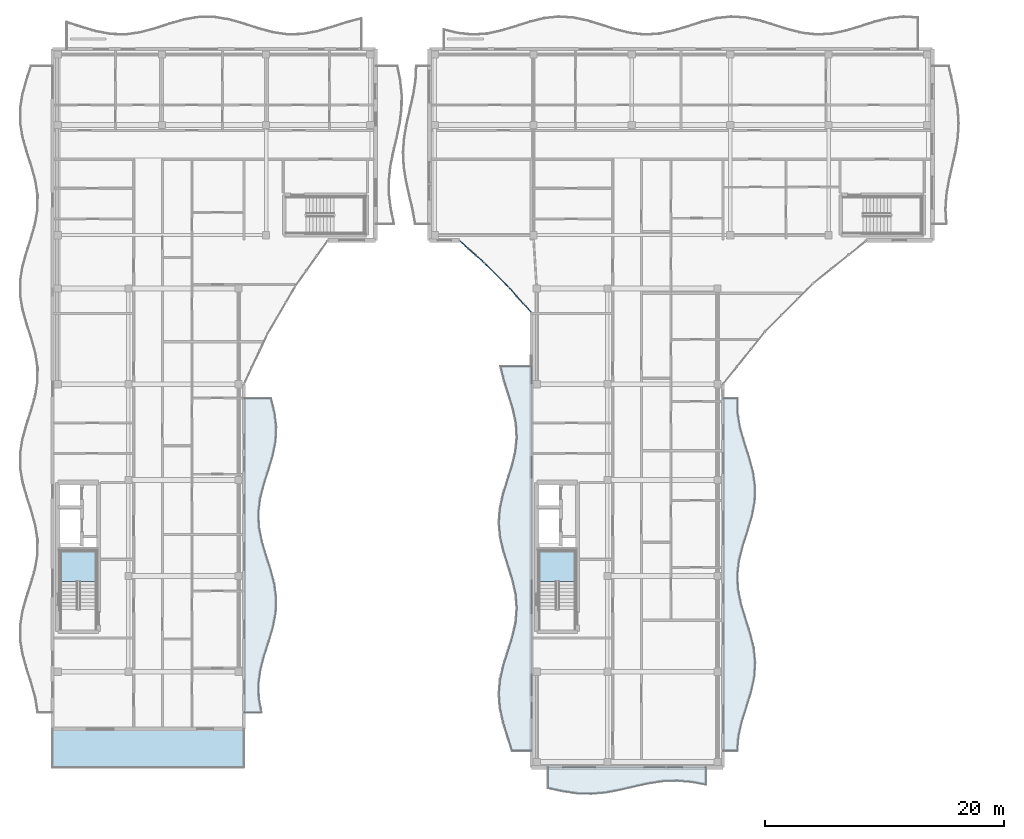
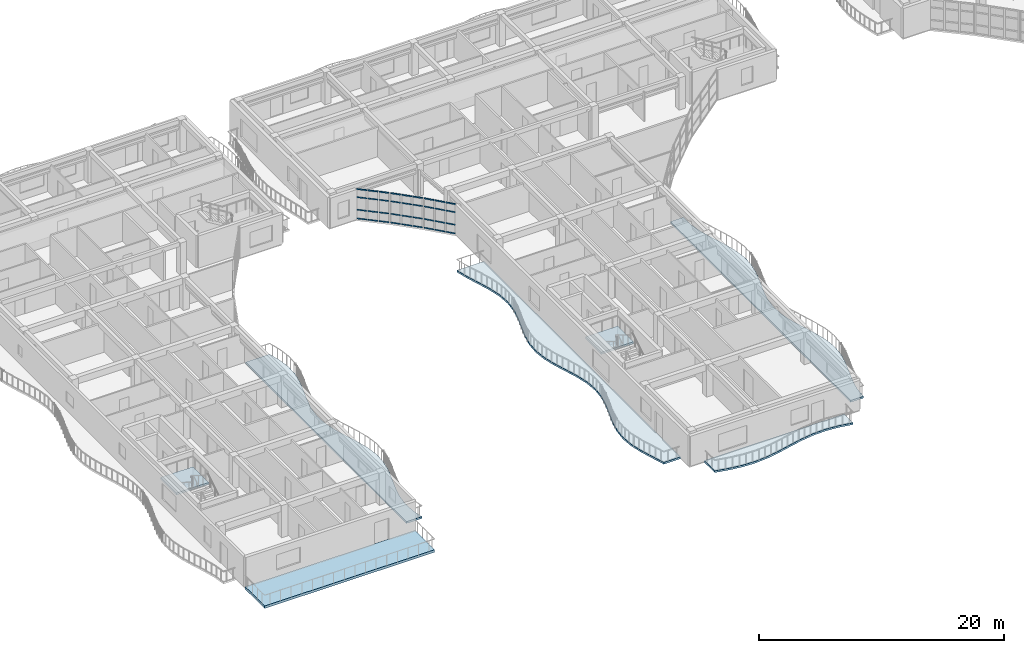
# One storey, part 22 of 72: 36 members, 7 slabs, 5 elements without a shape of their own.
"""IFC4 building model written with IfcOpenShell, lengths in metres."""

from ifc_helpers import new_model, si_unit, direction, frame, origin, origin_2d, place, context, subcontext, project, spatial, polyline, hollow_rectangle, outline, extrude, material, layer, layer_set, material_profile, profile_set, type_object, element, aggregate, save


model = new_model("IFC4")

# Units and contexts
model_context = context("Model", 3, precision=1e-05, world=origin(), true_north=direction((0.0, 1.0)))
body_context = subcontext(model_context, "Body", "Model", "MODEL_VIEW")
ifc_project = project(units=[si_unit("LENGTHUNIT", "METRE"), si_unit("AREAUNIT", "SQUARE_METRE"), si_unit("VOLUMEUNIT", "CUBIC_METRE"), si_unit("PLANEANGLEUNIT", "RADIAN"), si_unit("MASSUNIT", "GRAM", prefix="KILO")], contexts=[model_context])

# Site, building, storey
site_placement = place(None, origin())
site = spatial("IfcSite", under=ifc_project, at=site_placement, CompositionType="ELEMENT")
building_placement = place(site_placement, origin())
building = spatial("IfcBuilding", under=site, at=building_placement, Name="Keldmere Railside Commons", CompositionType="ELEMENT")
storey_placement = place(building_placement, frame((0.0, 0.0, 16.9599609375)))
storey = spatial("IfcBuildingStorey", under=building, at=storey_placement, Name="L05", CompositionType="ELEMENT", Elevation=16.9599609375)

# Curtain wall, members
ifc_material_1 = material(Name="Thermally Broken Aluminium", Category="aluminium")
ifc_layer_1 = layer(ifc_material_1, 0.159912109375, Name="Court Chord Wintergarden CW 4800x2850")
ifc_layer_set_1 = layer_set([ifc_layer_1], Name="Thermally Broken Aluminium")
curtain_wall_type_1 = type_object("IfcCurtainWallType", Name="Court Chord Wintergarden CW 4800x2850", PredefinedType="NOTDEFINED", material=ifc_layer_set_1)
curtain_wall_1_placement = place(storey_placement, origin())
curtain_wall_1 = element("IfcCurtainWall", 1, at=curtain_wall_1_placement, inside=storey, type_object=curtain_wall_type_1, Name="CW-12 CW-L05-058", PredefinedType="NOTDEFINED")
ifc_material_profile = material_profile(ifc_material_1, hollow_rectangle(XDim=0.06494140625, YDim=0.1201171875, WallThickness=0.00390625, at=origin_2d()), Name="ALU-TRAN-65x120")
ifc_profile_set = profile_set([ifc_material_profile], Name="Thermally Broken Aluminium")
member_type = type_object("IfcMemberType", Name="Unitised Curtain Wall Transom 65x120", PredefinedType="USERDEFINED", material=ifc_profile_set)
member_1_placement = place(storey_placement, frame((44.0595703125, 98.1533203125, 0.032470703125), z_axis=(-0.744569440646, 0.667545015752, 0.0), x_axis=(-0.667545015752, -0.744569440646, 0.0)))
member_1 = element("IfcMember", 2, at=member_1_placement, type_object=member_type, Name="CW-12 transom 1.1", ObjectType="TRANSOM", PredefinedType="USERDEFINED", context=body_context, shape_type="SweptSolid", body=[
    extrude(hollow_rectangle(XDim=0.06494140625, YDim=0.1201171875, WallThickness=0.00390625, at=origin_2d()), origin(), (0.0, 0.0, 1.0), 0.84619140625),
])
member_2_placement = place(storey_placement, frame((44.0595703125, 98.1533203125, 0.900146484375), z_axis=(-0.744569440646, 0.667545015752, 0.0), x_axis=(-0.667545015752, -0.744569440646, 0.0)))
member_2 = element("IfcMember", 3, at=member_2_placement, type_object=member_type, Name="CW-12 transom 1.2", ObjectType="TRANSOM", PredefinedType="USERDEFINED", context=body_context, shape_type="SweptSolid", body=[
    extrude(hollow_rectangle(XDim=0.06494140625, YDim=0.1201171875, WallThickness=0.00390625, at=origin_2d()), origin(), (0.0, 0.0, 1.0), 0.84619140625),
])
member_3_placement = place(storey_placement, frame((44.0595703125, 98.1533203125, 2.150146484375), z_axis=(-0.744569440646, 0.667545015752, 0.0), x_axis=(-0.667545015752, -0.744569440646, 0.0)))
member_3 = element("IfcMember", 4, at=member_3_placement, type_object=member_type, Name="CW-12 transom 1.3", ObjectType="TRANSOM", PredefinedType="USERDEFINED", context=body_context, shape_type="SweptSolid", body=[
    extrude(hollow_rectangle(XDim=0.06494140625, YDim=0.1201171875, WallThickness=0.00390625, at=origin_2d()), origin(), (0.0, 0.0, 1.0), 0.84619140625),
])
member_4_placement = place(storey_placement, frame((44.0595703125, 98.1533203125, 2.947509765625), z_axis=(-0.744569440646, 0.667545015752, 0.0), x_axis=(-0.667545015752, -0.744569440646, 0.0)))
member_4 = element("IfcMember", 5, at=member_4_placement, type_object=member_type, Name="CW-12 transom 1.4", ObjectType="TRANSOM", PredefinedType="USERDEFINED", context=body_context, shape_type="SweptSolid", body=[
    extrude(hollow_rectangle(XDim=0.06494140625, YDim=0.1201171875, WallThickness=0.00390625, at=origin_2d()), origin(), (0.0, 0.0, 1.0), 0.84619140625),
])
member_5_placement = place(storey_placement, frame((43.381103515625, 98.76171875, 0.032470703125), z_axis=(-0.744536109606, 0.667582190815, 0.0), x_axis=(-0.667582190815, -0.744536109606, 0.0)))
member_5 = element("IfcMember", 6, at=member_5_placement, type_object=member_type, Name="CW-12 transom 2.1", ObjectType="TRANSOM", PredefinedType="USERDEFINED", context=body_context, shape_type="SweptSolid", body=[
    extrude(hollow_rectangle(XDim=0.06494140625, YDim=0.1201171875, WallThickness=0.00390625, at=origin_2d()), origin(), (0.0, 0.0, 1.0), 0.87890625),
])
member_6_placement = place(storey_placement, frame((43.381103515625, 98.76171875, 0.900146484375), z_axis=(-0.744536109606, 0.667582190815, 0.0), x_axis=(-0.667582190815, -0.744536109606, 0.0)))
member_6 = element("IfcMember", 7, at=member_6_placement, type_object=member_type, Name="CW-12 transom 2.2", ObjectType="TRANSOM", PredefinedType="USERDEFINED", context=body_context, shape_type="SweptSolid", body=[
    extrude(hollow_rectangle(XDim=0.06494140625, YDim=0.1201171875, WallThickness=0.00390625, at=origin_2d()), origin(), (0.0, 0.0, 1.0), 0.87890625),
])
member_7_placement = place(storey_placement, frame((43.381103515625, 98.76171875, 2.150146484375), z_axis=(-0.744536109606, 0.667582190815, 0.0), x_axis=(-0.667582190815, -0.744536109606, 0.0)))
member_7 = element("IfcMember", 8, at=member_7_placement, type_object=member_type, Name="CW-12 transom 2.3", ObjectType="TRANSOM", PredefinedType="USERDEFINED", context=body_context, shape_type="SweptSolid", body=[
    extrude(hollow_rectangle(XDim=0.06494140625, YDim=0.1201171875, WallThickness=0.00390625, at=origin_2d()), origin(), (0.0, 0.0, 1.0), 0.87890625),
])
member_8_placement = place(storey_placement, frame((43.381103515625, 98.76171875, 2.947509765625), z_axis=(-0.744536109606, 0.667582190815, 0.0), x_axis=(-0.667582190815, -0.744536109606, 0.0)))
member_8 = element("IfcMember", 9, at=member_8_placement, type_object=member_type, Name="CW-12 transom 2.4", ObjectType="TRANSOM", PredefinedType="USERDEFINED", context=body_context, shape_type="SweptSolid", body=[
    extrude(hollow_rectangle(XDim=0.06494140625, YDim=0.1201171875, WallThickness=0.00390625, at=origin_2d()), origin(), (0.0, 0.0, 1.0), 0.87890625),
])
member_9_placement = place(storey_placement, frame((42.678466796875, 99.3916015625, 0.032470703125), z_axis=(-0.744569440646, 0.667545015752, 0.0), x_axis=(-0.667545015752, -0.744569440646, 0.0)))
member_9 = element("IfcMember", 10, at=member_9_placement, type_object=member_type, Name="CW-12 transom 3.1", ObjectType="TRANSOM", PredefinedType="USERDEFINED", context=body_context, shape_type="SweptSolid", body=[
    extrude(hollow_rectangle(XDim=0.06494140625, YDim=0.1201171875, WallThickness=0.00390625, at=origin_2d()), origin(), (0.0, 0.0, 1.0), 0.84619140625),
])
member_10_placement = place(storey_placement, frame((42.678466796875, 99.3916015625, 0.900146484375), z_axis=(-0.744569440646, 0.667545015752, 0.0), x_axis=(-0.667545015752, -0.744569440646, 0.0)))
member_10 = element("IfcMember", 11, at=member_10_placement, type_object=member_type, Name="CW-12 transom 3.2", ObjectType="TRANSOM", PredefinedType="USERDEFINED", context=body_context, shape_type="SweptSolid", body=[
    extrude(hollow_rectangle(XDim=0.06494140625, YDim=0.1201171875, WallThickness=0.00390625, at=origin_2d()), origin(), (0.0, 0.0, 1.0), 0.84619140625),
])
member_11_placement = place(storey_placement, frame((42.678466796875, 99.3916015625, 2.150146484375), z_axis=(-0.744569440646, 0.667545015752, 0.0), x_axis=(-0.667545015752, -0.744569440646, 0.0)))
member_11 = element("IfcMember", 12, at=member_11_placement, type_object=member_type, Name="CW-12 transom 3.3", ObjectType="TRANSOM", PredefinedType="USERDEFINED", context=body_context, shape_type="SweptSolid", body=[
    extrude(hollow_rectangle(XDim=0.06494140625, YDim=0.1201171875, WallThickness=0.00390625, at=origin_2d()), origin(), (0.0, 0.0, 1.0), 0.84619140625),
])
member_12_placement = place(storey_placement, frame((42.678466796875, 99.3916015625, 2.947509765625), z_axis=(-0.744569440646, 0.667545015752, 0.0), x_axis=(-0.667545015752, -0.744569440646, 0.0)))
member_12 = element("IfcMember", 13, at=member_12_placement, type_object=member_type, Name="CW-12 transom 3.4", ObjectType="TRANSOM", PredefinedType="USERDEFINED", context=body_context, shape_type="SweptSolid", body=[
    extrude(hollow_rectangle(XDim=0.06494140625, YDim=0.1201171875, WallThickness=0.00390625, at=origin_2d()), origin(), (0.0, 0.0, 1.0), 0.84619140625),
])
aggregate(curtain_wall_1, [member_1, member_2, member_3, member_4, member_5, member_6, member_7, member_8, member_9, member_10, member_11, member_12])

ifc_layer_2 = layer(ifc_material_1, 0.159912109375, Name="Court Chord Wintergarden CW 5400x2850")
ifc_layer_set_2 = layer_set([ifc_layer_2], Name="Thermally Broken Aluminium")
curtain_wall_type_2 = type_object("IfcCurtainWallType", Name="Court Chord Wintergarden CW 5400x2850", PredefinedType="NOTDEFINED", material=ifc_layer_set_2)
curtain_wall_2_placement = place(storey_placement, origin())
curtain_wall_2 = element("IfcCurtainWall", 14, at=curtain_wall_2_placement, inside=storey, type_object=curtain_wall_type_2, Name="CW-13 CW-L05-059", PredefinedType="NOTDEFINED")
member_13_placement = place(storey_placement, frame((46.06396484375, 96.154052734375, 0.032470703125), z_axis=(-0.707106781187, 0.707106781187, 0.0), x_axis=(-0.707106781187, -0.707106781187, 0.0)))
member_13 = element("IfcMember", 15, at=member_13_placement, type_object=member_type, Name="CW-13 transom 1.1", ObjectType="TRANSOM", PredefinedType="USERDEFINED", context=body_context, shape_type="SweptSolid", body=[
    extrude(hollow_rectangle(XDim=0.06494140625, YDim=0.1201171875, WallThickness=0.00390625, at=origin_2d()), origin(), (0.0, 0.0, 1.0), 0.84619140625),
])
member_14_placement = place(storey_placement, frame((46.06396484375, 96.154052734375, 0.900146484375), z_axis=(-0.707106781187, 0.707106781187, 0.0), x_axis=(-0.707106781187, -0.707106781187, 0.0)))
member_14 = element("IfcMember", 16, at=member_14_placement, type_object=member_type, Name="CW-13 transom 1.2", ObjectType="TRANSOM", PredefinedType="USERDEFINED", context=body_context, shape_type="SweptSolid", body=[
    extrude(hollow_rectangle(XDim=0.06494140625, YDim=0.1201171875, WallThickness=0.00390625, at=origin_2d()), origin(), (0.0, 0.0, 1.0), 0.84619140625),
])
member_15_placement = place(storey_placement, frame((46.06396484375, 96.154052734375, 2.150146484375), z_axis=(-0.707106781187, 0.707106781187, 0.0), x_axis=(-0.707106781187, -0.707106781187, 0.0)))
member_15 = element("IfcMember", 17, at=member_15_placement, type_object=member_type, Name="CW-13 transom 1.3", ObjectType="TRANSOM", PredefinedType="USERDEFINED", context=body_context, shape_type="SweptSolid", body=[
    extrude(hollow_rectangle(XDim=0.06494140625, YDim=0.1201171875, WallThickness=0.00390625, at=origin_2d()), origin(), (0.0, 0.0, 1.0), 0.84619140625),
])
member_16_placement = place(storey_placement, frame((46.06396484375, 96.154052734375, 2.947509765625), z_axis=(-0.707106781187, 0.707106781187, 0.0), x_axis=(-0.707106781187, -0.707106781187, 0.0)))
member_16 = element("IfcMember", 18, at=member_16_placement, type_object=member_type, Name="CW-13 transom 1.4", ObjectType="TRANSOM", PredefinedType="USERDEFINED", context=body_context, shape_type="SweptSolid", body=[
    extrude(hollow_rectangle(XDim=0.06494140625, YDim=0.1201171875, WallThickness=0.00390625, at=origin_2d()), origin(), (0.0, 0.0, 1.0), 0.84619140625),
])
member_17_placement = place(storey_placement, frame((45.419677734375, 96.79833984375, 0.032470703125), z_axis=(-0.707106781187, 0.707106781187, 0.0), x_axis=(-0.707106781187, -0.707106781187, 0.0)))
member_17 = element("IfcMember", 19, at=member_17_placement, type_object=member_type, Name="CW-13 transom 2.1", ObjectType="TRANSOM", PredefinedType="USERDEFINED", context=body_context, shape_type="SweptSolid", body=[
    extrude(hollow_rectangle(XDim=0.06494140625, YDim=0.1201171875, WallThickness=0.00390625, at=origin_2d()), origin(), (0.0, 0.0, 1.0), 0.878662109375),
])
member_18_placement = place(storey_placement, frame((45.419677734375, 96.79833984375, 0.900146484375), z_axis=(-0.707106781187, 0.707106781187, 0.0), x_axis=(-0.707106781187, -0.707106781187, 0.0)))
member_18 = element("IfcMember", 20, at=member_18_placement, type_object=member_type, Name="CW-13 transom 2.2", ObjectType="TRANSOM", PredefinedType="USERDEFINED", context=body_context, shape_type="SweptSolid", body=[
    extrude(hollow_rectangle(XDim=0.06494140625, YDim=0.1201171875, WallThickness=0.00390625, at=origin_2d()), origin(), (0.0, 0.0, 1.0), 0.878662109375),
])
member_19_placement = place(storey_placement, frame((45.419677734375, 96.79833984375, 2.150146484375), z_axis=(-0.707106781187, 0.707106781187, 0.0), x_axis=(-0.707106781187, -0.707106781187, 0.0)))
member_19 = element("IfcMember", 21, at=member_19_placement, type_object=member_type, Name="CW-13 transom 2.3", ObjectType="TRANSOM", PredefinedType="USERDEFINED", context=body_context, shape_type="SweptSolid", body=[
    extrude(hollow_rectangle(XDim=0.06494140625, YDim=0.1201171875, WallThickness=0.00390625, at=origin_2d()), origin(), (0.0, 0.0, 1.0), 0.878662109375),
])
member_20_placement = place(storey_placement, frame((45.419677734375, 96.79833984375, 2.947509765625), z_axis=(-0.707106781187, 0.707106781187, 0.0), x_axis=(-0.707106781187, -0.707106781187, 0.0)))
member_20 = element("IfcMember", 22, at=member_20_placement, type_object=member_type, Name="CW-13 transom 2.4", ObjectType="TRANSOM", PredefinedType="USERDEFINED", context=body_context, shape_type="SweptSolid", body=[
    extrude(hollow_rectangle(XDim=0.06494140625, YDim=0.1201171875, WallThickness=0.00390625, at=origin_2d()), origin(), (0.0, 0.0, 1.0), 0.878662109375),
])
member_21_placement = place(storey_placement, frame((44.75244140625, 97.465576171875, 0.032470703125), z_axis=(-0.707106781187, 0.707106781187, 0.0), x_axis=(-0.707106781187, -0.707106781187, 0.0)))
member_21 = element("IfcMember", 23, at=member_21_placement, type_object=member_type, Name="CW-13 transom 3.1", ObjectType="TRANSOM", PredefinedType="USERDEFINED", context=body_context, shape_type="SweptSolid", body=[
    extrude(hollow_rectangle(XDim=0.06494140625, YDim=0.1201171875, WallThickness=0.00390625, at=origin_2d()), origin(), (0.0, 0.0, 1.0), 0.84619140625),
])
member_22_placement = place(storey_placement, frame((44.75244140625, 97.465576171875, 0.900146484375), z_axis=(-0.707106781187, 0.707106781187, 0.0), x_axis=(-0.707106781187, -0.707106781187, 0.0)))
member_22 = element("IfcMember", 24, at=member_22_placement, type_object=member_type, Name="CW-13 transom 3.2", ObjectType="TRANSOM", PredefinedType="USERDEFINED", context=body_context, shape_type="SweptSolid", body=[
    extrude(hollow_rectangle(XDim=0.06494140625, YDim=0.1201171875, WallThickness=0.00390625, at=origin_2d()), origin(), (0.0, 0.0, 1.0), 0.84619140625),
])
member_23_placement = place(storey_placement, frame((44.75244140625, 97.465576171875, 2.150146484375), z_axis=(-0.707106781187, 0.707106781187, 0.0), x_axis=(-0.707106781187, -0.707106781187, 0.0)))
member_23 = element("IfcMember", 25, at=member_23_placement, type_object=member_type, Name="CW-13 transom 3.3", ObjectType="TRANSOM", PredefinedType="USERDEFINED", context=body_context, shape_type="SweptSolid", body=[
    extrude(hollow_rectangle(XDim=0.06494140625, YDim=0.1201171875, WallThickness=0.00390625, at=origin_2d()), origin(), (0.0, 0.0, 1.0), 0.84619140625),
])
member_24_placement = place(storey_placement, frame((44.75244140625, 97.465576171875, 2.947509765625), z_axis=(-0.707106781187, 0.707106781187, 0.0), x_axis=(-0.707106781187, -0.707106781187, 0.0)))
member_24 = element("IfcMember", 26, at=member_24_placement, type_object=member_type, Name="CW-13 transom 3.4", ObjectType="TRANSOM", PredefinedType="USERDEFINED", context=body_context, shape_type="SweptSolid", body=[
    extrude(hollow_rectangle(XDim=0.06494140625, YDim=0.1201171875, WallThickness=0.00390625, at=origin_2d()), origin(), (0.0, 0.0, 1.0), 0.84619140625),
])
aggregate(curtain_wall_2, [member_13, member_14, member_15, member_16, member_17, member_18, member_19, member_20, member_21, member_22, member_23, member_24])

curtain_wall_3_placement = place(storey_placement, origin())
curtain_wall_3 = element("IfcCurtainWall", 27, at=curtain_wall_3_placement, inside=storey, type_object=curtain_wall_type_1, Name="CW-12 CW-L05-060", PredefinedType="NOTDEFINED")
member_25_placement = place(storey_placement, frame((47.95654296875, 94.04833984375, 0.032470703125), z_axis=(-0.667545015752, 0.744569440646, 0.0), x_axis=(-0.744569440646, -0.667545015752, 0.0)))
member_25 = element("IfcMember", 28, at=member_25_placement, type_object=member_type, Name="CW-12 transom 1.1", ObjectType="TRANSOM", PredefinedType="USERDEFINED", context=body_context, shape_type="SweptSolid", body=[
    extrude(hollow_rectangle(XDim=0.06494140625, YDim=0.1201171875, WallThickness=0.00390625, at=origin_2d()), origin(), (0.0, 0.0, 1.0), 0.84619140625),
])
member_26_placement = place(storey_placement, frame((47.95654296875, 94.04833984375, 0.900146484375), z_axis=(-0.667545015752, 0.744569440646, 0.0), x_axis=(-0.744569440646, -0.667545015752, 0.0)))
member_26 = element("IfcMember", 29, at=member_26_placement, type_object=member_type, Name="CW-12 transom 1.2", ObjectType="TRANSOM", PredefinedType="USERDEFINED", context=body_context, shape_type="SweptSolid", body=[
    extrude(hollow_rectangle(XDim=0.06494140625, YDim=0.1201171875, WallThickness=0.00390625, at=origin_2d()), origin(), (0.0, 0.0, 1.0), 0.84619140625),
])
member_27_placement = place(storey_placement, frame((47.95654296875, 94.04833984375, 2.150146484375), z_axis=(-0.667545015752, 0.744569440646, 0.0), x_axis=(-0.744569440646, -0.667545015752, 0.0)))
member_27 = element("IfcMember", 30, at=member_27_placement, type_object=member_type, Name="CW-12 transom 1.3", ObjectType="TRANSOM", PredefinedType="USERDEFINED", context=body_context, shape_type="SweptSolid", body=[
    extrude(hollow_rectangle(XDim=0.06494140625, YDim=0.1201171875, WallThickness=0.00390625, at=origin_2d()), origin(), (0.0, 0.0, 1.0), 0.84619140625),
])
member_28_placement = place(storey_placement, frame((47.95654296875, 94.04833984375, 2.947509765625), z_axis=(-0.667545015752, 0.744569440646, 0.0), x_axis=(-0.744569440646, -0.667545015752, 0.0)))
member_28 = element("IfcMember", 31, at=member_28_placement, type_object=member_type, Name="CW-12 transom 1.4", ObjectType="TRANSOM", PredefinedType="USERDEFINED", context=body_context, shape_type="SweptSolid", body=[
    extrude(hollow_rectangle(XDim=0.06494140625, YDim=0.1201171875, WallThickness=0.00390625, at=origin_2d()), origin(), (0.0, 0.0, 1.0), 0.84619140625),
])
member_29_placement = place(storey_placement, frame((47.348388671875, 94.726806640625, 0.032470703125), z_axis=(-0.667582190815, 0.744536109606, 0.0), x_axis=(-0.744536109606, -0.667582190815, 0.0)))
member_29 = element("IfcMember", 32, at=member_29_placement, type_object=member_type, Name="CW-12 transom 2.1", ObjectType="TRANSOM", PredefinedType="USERDEFINED", context=body_context, shape_type="SweptSolid", body=[
    extrude(hollow_rectangle(XDim=0.06494140625, YDim=0.1201171875, WallThickness=0.00390625, at=origin_2d()), origin(), (0.0, 0.0, 1.0), 0.87890625),
])
member_30_placement = place(storey_placement, frame((47.348388671875, 94.726806640625, 0.900146484375), z_axis=(-0.667582190815, 0.744536109606, 0.0), x_axis=(-0.744536109606, -0.667582190815, 0.0)))
member_30 = element("IfcMember", 33, at=member_30_placement, type_object=member_type, Name="CW-12 transom 2.2", ObjectType="TRANSOM", PredefinedType="USERDEFINED", context=body_context, shape_type="SweptSolid", body=[
    extrude(hollow_rectangle(XDim=0.06494140625, YDim=0.1201171875, WallThickness=0.00390625, at=origin_2d()), origin(), (0.0, 0.0, 1.0), 0.87890625),
])
member_31_placement = place(storey_placement, frame((47.348388671875, 94.726806640625, 2.150146484375), z_axis=(-0.667582190815, 0.744536109606, 0.0), x_axis=(-0.744536109606, -0.667582190815, 0.0)))
member_31 = element("IfcMember", 34, at=member_31_placement, type_object=member_type, Name="CW-12 transom 2.3", ObjectType="TRANSOM", PredefinedType="USERDEFINED", context=body_context, shape_type="SweptSolid", body=[
    extrude(hollow_rectangle(XDim=0.06494140625, YDim=0.1201171875, WallThickness=0.00390625, at=origin_2d()), origin(), (0.0, 0.0, 1.0), 0.87890625),
])
member_32_placement = place(storey_placement, frame((47.348388671875, 94.726806640625, 2.947509765625), z_axis=(-0.667582190815, 0.744536109606, 0.0), x_axis=(-0.744536109606, -0.667582190815, 0.0)))
member_32 = element("IfcMember", 35, at=member_32_placement, type_object=member_type, Name="CW-12 transom 2.4", ObjectType="TRANSOM", PredefinedType="USERDEFINED", context=body_context, shape_type="SweptSolid", body=[
    extrude(hollow_rectangle(XDim=0.06494140625, YDim=0.1201171875, WallThickness=0.00390625, at=origin_2d()), origin(), (0.0, 0.0, 1.0), 0.87890625),
])
member_33_placement = place(storey_placement, frame((46.71826171875, 95.429443359375, 0.032470703125), z_axis=(-0.667545015752, 0.744569440646, 0.0), x_axis=(-0.744569440646, -0.667545015752, 0.0)))
member_33 = element("IfcMember", 36, at=member_33_placement, type_object=member_type, Name="CW-12 transom 3.1", ObjectType="TRANSOM", PredefinedType="USERDEFINED", context=body_context, shape_type="SweptSolid", body=[
    extrude(hollow_rectangle(XDim=0.06494140625, YDim=0.1201171875, WallThickness=0.00390625, at=origin_2d()), origin(), (0.0, 0.0, 1.0), 0.84619140625),
])
member_34_placement = place(storey_placement, frame((46.71826171875, 95.429443359375, 0.900146484375), z_axis=(-0.667545015752, 0.744569440646, 0.0), x_axis=(-0.744569440646, -0.667545015752, 0.0)))
member_34 = element("IfcMember", 37, at=member_34_placement, type_object=member_type, Name="CW-12 transom 3.2", ObjectType="TRANSOM", PredefinedType="USERDEFINED", context=body_context, shape_type="SweptSolid", body=[
    extrude(hollow_rectangle(XDim=0.06494140625, YDim=0.1201171875, WallThickness=0.00390625, at=origin_2d()), origin(), (0.0, 0.0, 1.0), 0.84619140625),
])
member_35_placement = place(storey_placement, frame((46.71826171875, 95.429443359375, 2.150146484375), z_axis=(-0.667545015752, 0.744569440646, 0.0), x_axis=(-0.744569440646, -0.667545015752, 0.0)))
member_35 = element("IfcMember", 38, at=member_35_placement, type_object=member_type, Name="CW-12 transom 3.3", ObjectType="TRANSOM", PredefinedType="USERDEFINED", context=body_context, shape_type="SweptSolid", body=[
    extrude(hollow_rectangle(XDim=0.06494140625, YDim=0.1201171875, WallThickness=0.00390625, at=origin_2d()), origin(), (0.0, 0.0, 1.0), 0.84619140625),
])
member_36_placement = place(storey_placement, frame((46.71826171875, 95.429443359375, 2.947509765625), z_axis=(-0.667545015752, 0.744569440646, 0.0), x_axis=(-0.744569440646, -0.667545015752, 0.0)))
member_36 = element("IfcMember", 39, at=member_36_placement, type_object=member_type, Name="CW-12 transom 3.4", ObjectType="TRANSOM", PredefinedType="USERDEFINED", context=body_context, shape_type="SweptSolid", body=[
    extrude(hollow_rectangle(XDim=0.06494140625, YDim=0.1201171875, WallThickness=0.00390625, at=origin_2d()), origin(), (0.0, 0.0, 1.0), 0.84619140625),
])
aggregate(curtain_wall_3, [member_25, member_26, member_27, member_28, member_29, member_30, member_31, member_32, member_33, member_34, member_35, member_36])

# Stair, slab
ifc_material_2 = material(Name="Concrete H-30 (C30/37)", Category="concrete")
stair_type = type_object("IfcStairType", Name="Residential Core Dogleg Stair 1450", PredefinedType="HALF_TURN_STAIR", material=ifc_material_2)
stair_1_placement = place(storey_placement, origin())
stair_1 = element("IfcStair", 40, at=stair_1_placement, inside=storey, type_object=stair_type, Name="L05 Block D Primary Escape Stair 1", PredefinedType="HALF_TURN_STAIR")
ifc_layer_3 = layer(ifc_material_2, 0.199951171875, Name="Enclosed Stair Landing Slab 200")
ifc_layer_set_3 = layer_set([ifc_layer_3], Name="Concrete H-30 (C30/37)")
slab_type_1 = type_object("IfcSlabType", Name="Enclosed Stair Landing Slab 200", PredefinedType="LANDING", material=ifc_layer_set_3)
slab_1_placement = place(storey_placement, frame((0.0, 0.0, 1.400146484375)))
slab_1 = element("IfcSlab", 41, at=slab_1_placement, type_object=slab_type_1, Name="ST-D1 landing 1", PredefinedType="LANDING", context=body_context, shape_type="SweptSolid", body=[
    extrude(outline(polyline([(11.699951171875, 71.52001953125), (11.699951171875, 74.10009765625), (8.64990234375, 74.10009765625), (8.64990234375, 71.52001953125), (11.699951171875, 71.52001953125)])), origin(), (0.0, 0.0, 1.0), 0.199951171875),
])
aggregate(stair_1, [slab_1])

stair_2_placement = place(storey_placement, origin())
stair_2 = element("IfcStair", 42, at=stair_2_placement, inside=storey, type_object=stair_type, Name="L05 Block C Primary Escape Stair 1", PredefinedType="HALF_TURN_STAIR")
slab_2_placement = place(storey_placement, frame((0.0, 0.0, 1.400146484375)))
slab_2 = element("IfcSlab", 43, at=slab_2_placement, type_object=slab_type_1, Name="ST-C1 landing 1", PredefinedType="LANDING", context=body_context, shape_type="SweptSolid", body=[
    extrude(outline(polyline([(51.699951171875, 71.52001953125), (51.699951171875, 74.10009765625), (48.64990234375, 74.10009765625), (48.64990234375, 71.52001953125), (51.699951171875, 71.52001953125)])), origin(), (0.0, 0.0, 1.0), 0.199951171875),
])
aggregate(stair_2, [slab_2])

# Slabs
ifc_material_3 = material(Name="Concrete H-35 (C35/45)", Category="concrete")
ifc_layer_4 = layer(ifc_material_3, 0.25, Name="Planted Terrace Roof Slab 250")
ifc_layer_set_4 = layer_set([ifc_layer_4], Name="Concrete H-35 (C35/45)")
slab_type_2 = type_object("IfcSlabType", Name="Planted Terrace Roof Slab 250", PredefinedType="ROOF", material=ifc_layer_set_4)
slab_3_placement = place(storey_placement, frame((0.0, 0.0, -0.25)))
element("IfcSlab", 44, at=slab_3_placement, inside=storey, type_object=slab_type_2, Name="RT-1 TERRD-L05-013", PredefinedType="ROOF", context=body_context, shape_type="SweptSolid", body=[
    extrude(outline(polyline([(24.0, 56.0), (24.0, 59.18994140625), (8.0, 59.18994140625), (8.0, 56.0), (24.0, 56.0)])), origin(), (0.0, 0.0, 1.0), 0.25),
])
ifc_material_4 = material(Name="White Precast Concrete H-35 (C35/45)", Category="concrete")
ifc_layer_5 = layer(ifc_material_4, 0.179931640625, Name="Sinusoidal Wave Balcony Slab 180")
ifc_layer_set_5 = layer_set([ifc_layer_5], Name="White Precast Concrete H-35 (C35/45)")
slab_type_3 = type_object("IfcSlabType", Name="Sinusoidal Wave Balcony Slab 180", PredefinedType="FLOOR", material=ifc_layer_set_5)
slab_4_placement = place(storey_placement, frame((0.0, 0.0, -0.179931640625)))
element("IfcSlab", 45, at=slab_4_placement, inside=storey, type_object=slab_type_3, Name="WB-1 D L05 CE Wave Balcony", PredefinedType="FLOOR", context=body_context, shape_type="SweptSolid", body=[
    extrude(outline(polyline([(25.4619140625, 60.60009765625), (25.24365234375, 61.791015625), (25.211669921875, 62.981689453125), (25.374755859375, 64.172607421875), (25.689453125, 65.363525390625), (26.0732421875, 66.554443359375), (26.42431640625, 67.74560546875), (26.650146484375, 68.936279296875), (26.691162109375, 70.127197265625), (26.53662109375, 71.318115234375), (26.22705078125, 72.509033203125), (25.844482421875, 73.699951171875), (25.48974609375, 74.890869140625), (25.25634765625, 76.081787109375), (25.206298828125, 77.272705078125), (25.352294921875, 78.463623046875), (25.656494140625, 79.654541015625), (26.037841796875, 80.845458984375), (26.39599609375, 82.036376953125), (26.63671875, 83.227294921875), (26.69580078125, 84.418212890625), (26.55810546875, 85.609130859375), (26.260009765625, 86.800048828125), (24.0, 86.800048828125), (24.0, 85.609130859375), (24.0, 84.418212890625), (24.0, 83.227294921875), (24.0, 82.036376953125), (24.0, 80.845458984375), (24.0, 79.654541015625), (24.0, 78.463623046875), (24.0, 77.272705078125), (24.0, 76.081787109375), (24.0, 74.890869140625), (24.0, 73.699951171875), (24.0, 72.509033203125), (24.0, 71.318115234375), (24.0, 70.127197265625), (24.0, 68.936279296875), (24.0, 67.74560546875), (24.0, 66.554443359375), (24.0, 65.363525390625), (24.0, 64.172607421875), (24.0, 62.981689453125), (24.0, 61.791015625), (24.0, 60.60009765625), (25.4619140625, 60.60009765625)])), origin(), (0.0, 0.0, 1.0), 0.179931640625),
])
slab_5_placement = place(storey_placement, frame((0.0, 0.0, -0.179931640625)))
element("IfcSlab", 46, at=slab_5_placement, inside=storey, type_object=slab_type_3, Name="WB-1 C L05 CE Wave Balcony", PredefinedType="FLOOR", context=body_context, shape_type="SweptSolid", body=[
    extrude(outline(polyline([(65.2001953125, 57.39990234375), (65.2998046875, 58.625), (65.5810546875, 59.85009765625), (65.96533203125, 61.074951171875), (66.34521484375, 62.300048828125), (66.61474609375, 63.52490234375), (66.698974609375, 64.75), (66.57421875, 65.97509765625), (66.275390625, 67.199951171875), (65.8857421875, 68.425048828125), (65.513916015625, 69.64990234375), (65.263916015625, 70.875), (65.205322265625, 72.10009765625), (65.354248046875, 73.324951171875), (65.66943359375, 74.550048828125), (66.06298828125, 75.77490234375), (66.4248046875, 77.0), (66.654296875, 78.22509765625), (66.687255859375, 79.449951171875), (66.5146484375, 80.675048828125), (66.184326171875, 81.89990234375), (65.788818359375, 83.125), (65.43798828125, 84.35009765625), (65.230224609375, 85.574951171875), (65.22314453125, 86.800048828125), (64.0, 86.800048828125), (64.0, 85.574951171875), (64.0, 84.35009765625), (64.0, 83.125), (64.0, 81.89990234375), (64.0, 80.675048828125), (64.0, 79.449951171875), (64.0, 78.22509765625), (64.0, 77.0), (64.0, 75.77490234375), (64.0, 74.550048828125), (64.0, 73.324951171875), (64.0, 72.10009765625), (64.0, 70.875), (64.0, 69.64990234375), (64.0, 68.425048828125), (64.0, 67.199951171875), (64.0, 65.97509765625), (64.0, 64.75), (64.0, 63.52490234375), (64.0, 62.300048828125), (64.0, 61.074951171875), (64.0, 59.85009765625), (64.0, 58.625), (64.0, 57.39990234375), (65.2001953125, 57.39990234375)])), origin(), (0.0, 0.0, 1.0), 0.179931640625),
])
slab_6_placement = place(storey_placement, frame((0.0, 0.0, -0.179931640625)))
element("IfcSlab", 47, at=slab_6_placement, inside=storey, type_object=slab_type_3, Name="WB-1 C L05 CW Wave Balcony", PredefinedType="FLOOR", context=body_context, shape_type="SweptSolid", body=[
    extrude(outline(polyline([(48.0, 57.39990234375), (48.0, 58.5888671875), (48.0, 59.77783203125), (48.0, 60.966796875), (48.0, 62.155517578125), (48.0, 63.344482421875), (48.0, 64.533203125), (48.0, 65.72216796875), (48.0, 66.9111328125), (48.0, 68.10009765625), (48.0, 69.288818359375), (48.0, 70.477783203125), (48.0, 71.666748046875), (48.0, 72.855712890625), (48.0, 74.04443359375), (48.0, 75.2333984375), (48.0, 76.422119140625), (48.0, 77.611083984375), (48.0, 78.800048828125), (48.0, 79.989013671875), (48.0, 81.177734375), (48.0, 82.36669921875), (48.0, 83.5556640625), (48.0, 84.744384765625), (48.0, 85.933349609375), (48.0, 87.122314453125), (48.0, 88.31103515625), (48.0, 89.5), (45.43701171875, 89.5), (45.73193359375, 88.31103515625), (46.110595703125, 87.122314453125), (46.47314453125, 85.933349609375), (46.724609375, 84.744384765625), (46.79833984375, 83.5556640625), (46.67529296875, 82.36669921875), (46.3876953125, 81.177734375), (46.01123046875, 79.989013671875), (45.64501953125, 78.800048828125), (45.38525390625, 77.611083984375), (45.300537109375, 76.422119140625), (45.412841796875, 75.2333984375), (45.693115234375, 74.04443359375), (46.06689453125, 72.855712890625), (46.4365234375, 71.666748046875), (46.704345703125, 70.477783203125), (46.800048828125, 69.288818359375), (46.6982421875, 68.10009765625), (46.426025390625, 66.9111328125), (46.054931640625, 65.72216796875), (45.682373046875, 64.533203125), (45.406494140625, 63.344482421875), (45.30029296875, 62.155517578125), (45.39111328125, 60.966796875), (45.6552734375, 59.77783203125), (46.023193359375, 58.5888671875), (46.3984375, 57.39990234375), (48.0, 57.39990234375)])), origin(), (0.0, 0.0, 1.0), 0.179931640625),
])
slab_7_placement = place(storey_placement, frame((0.0, 0.0, -0.179931640625)))
element("IfcSlab", 48, at=slab_7_placement, inside=storey, type_object=slab_type_3, Name="WB-1 C L05 S Wave Balcony", PredefinedType="FLOOR", context=body_context, shape_type="SweptSolid", body=[
    extrude(outline(polyline([(49.39990234375, 54.285888671875), (50.60009765625, 54.021484375), (51.800048828125, 53.844970703125), (53.0, 53.8037109375), (54.199951171875, 53.908935546875), (55.39990234375, 54.13232421875), (56.60009765625, 54.4140625), (57.800048828125, 54.6787109375), (59.0, 54.85498046875), (60.199951171875, 54.896240234375), (61.39990234375, 54.791015625), (62.60009765625, 54.567626953125), (62.60009765625, 56.0), (61.39990234375, 56.0), (60.199951171875, 56.0), (59.0, 56.0), (57.800048828125, 56.0), (56.60009765625, 56.0), (55.39990234375, 56.0), (54.199951171875, 56.0), (53.0, 56.0), (51.800048828125, 56.0), (50.60009765625, 56.0), (49.39990234375, 56.0), (49.39990234375, 54.285888671875)])), origin(), (0.0, 0.0, 1.0), 0.179931640625),
])

save(model, "model.ifc")
